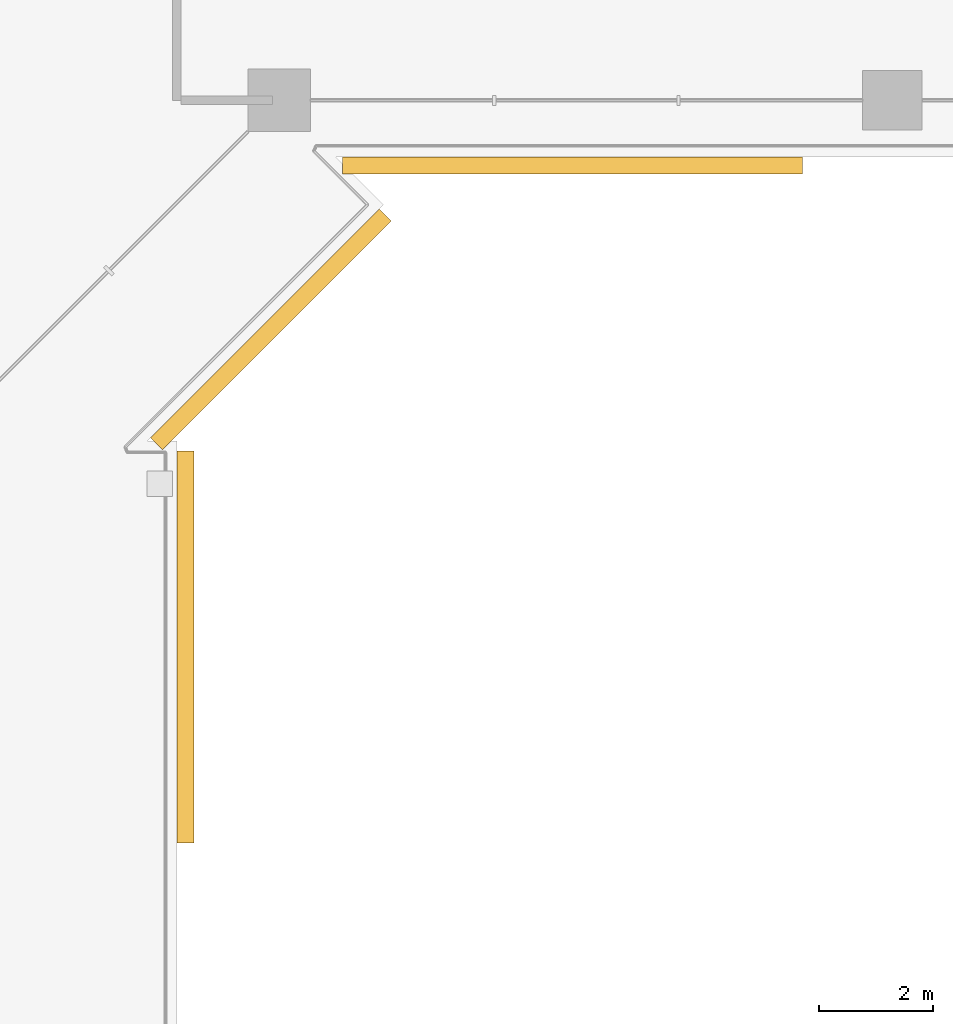
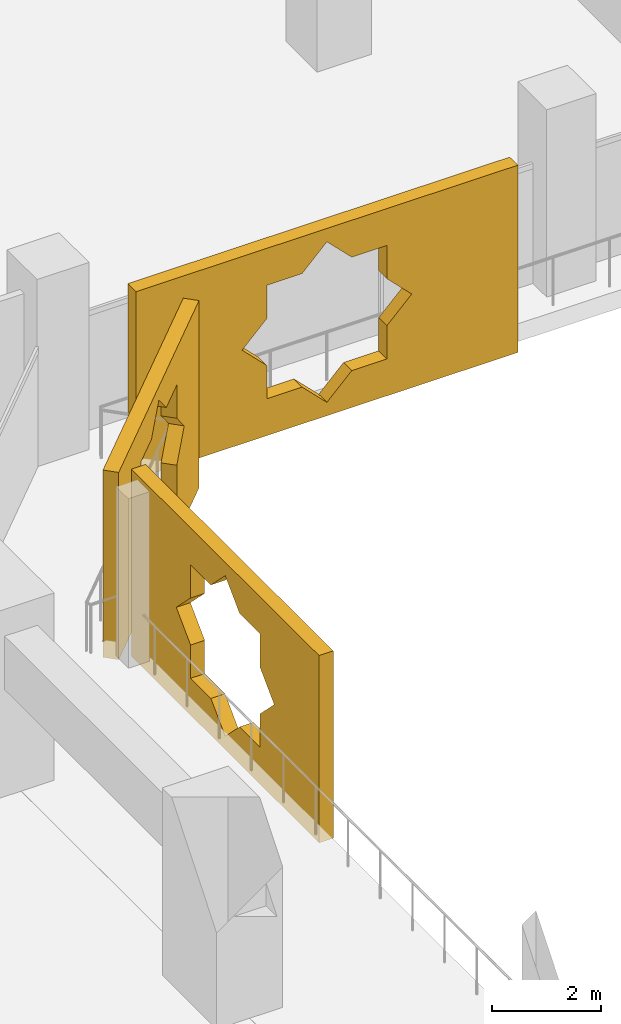
# One storey, part 21 of 25: 3 coverings.
"""IFC4 building model written with IfcOpenShell, lengths in metres."""

from ifc_helpers import new_model, si_unit, direction, frame, origin, place, context, subcontext, project, spatial, polyline, outline, extrude, material, material_profile, profile_set, type_object, element, save


model = new_model("IFC4")

# Units and contexts
model_context = context("Model", 3, precision=1e-05, world=origin(), true_north=direction((0.0, 1.0)))
body_context = subcontext(model_context, "Body", "Model", "MODEL_VIEW")
ifc_project = project(units=[si_unit("LENGTHUNIT", "METRE"), si_unit("AREAUNIT", "SQUARE_METRE"), si_unit("VOLUMEUNIT", "CUBIC_METRE"), si_unit("PLANEANGLEUNIT", "RADIAN"), si_unit("MASSUNIT", "GRAM", prefix="KILO")], contexts=[model_context])

# Site, building, storey
site_placement = place(None, origin())
site = spatial("IfcSite", under=ifc_project, at=site_placement, CompositionType="ELEMENT")
building_placement = place(site_placement, origin())
building = spatial("IfcBuilding", under=site, at=building_placement, Name="Kawkab Arch Medical Tower", CompositionType="ELEMENT")
storey_placement = place(building_placement, frame((0.0, 0.0, 98.800048828125)))
storey = spatial("IfcBuildingStorey", under=building, at=storey_placement, Name="L22", CompositionType="ELEMENT", Elevation=98.800048828125)

# Coverings
ifc_material_1 = material(Name="Bronze anodised aluminium mashrabiya panel, eight-point star pattern", Category="aluminium")
ifc_material_profile_1 = material_profile(ifc_material_1, outline(polyline([(-2.85009765625, -2.10009765625), (2.85009765625, -2.10009765625), (2.85009765625, 2.10009765625), (-2.85009765625, 2.10009765625), (-2.85009765625, -2.10009765625)]), holes=[polyline([(1.800048828125, 0.0), (1.272705078125, 0.527099609375), (1.272705078125, 1.272705078125), (0.527099609375, 1.272705078125), (0.0, 1.800048828125), (-0.527099609375, 1.272705078125), (-1.272705078125, 1.272705078125), (-1.272705078125, 0.527099609375), (-1.800048828125, 0.0), (-1.272705078125, -0.527099609375), (-1.272705078125, -1.272705078125), (-0.527099609375, -1.272705078125), (0.0, -1.800048828125), (0.527099609375, -1.272705078125), (1.272705078125, -1.272705078125), (1.272705078125, -0.527099609375), (1.800048828125, 0.0)])]), Name="Mashrabiya panel 5700x4200")
ifc_profile_set_1 = profile_set([ifc_material_profile_1], Name="Bronze anodised aluminium mashrabiya panel, eight-point star pattern")
covering_type_1 = type_object("IfcCoveringType", Name="Mashrabiya panel 5700 x 4200", PredefinedType="USERDEFINED", material=ifc_profile_set_1)
covering_1_placement = place(storey_placement, frame((30.94775390625, -29.128662109375, 1.699951171875), z_axis=(0.707106781187, -0.707106781187, 0.0), x_axis=(0.707106781187, 0.707106781187, 0.0)))
element("IfcCovering", 1, at=covering_1_placement, inside=storey, type_object=covering_type_1, Name="Mashrabiya panel L22.LOG-01-01.13", ObjectType="SCREEN", PredefinedType="USERDEFINED", context=body_context, shape_type="SweptSolid", body=[
    extrude(outline(polyline([(-2.85009765625, -2.10009765625), (2.85009765625, -2.10009765625), (2.85009765625, 2.10009765625), (-2.85009765625, 2.10009765625), (-2.85009765625, -2.10009765625)]), holes=[polyline([(1.800048828125, 0.0), (1.272705078125, 0.527099609375), (1.272705078125, 1.272705078125), (0.527099609375, 1.272705078125), (0.0, 1.800048828125), (-0.527099609375, 1.272705078125), (-1.272705078125, 1.272705078125), (-1.272705078125, 0.527099609375), (-1.800048828125, 0.0), (-1.272705078125, -0.527099609375), (-1.272705078125, -1.272705078125), (-0.527099609375, -1.272705078125), (0.0, -1.800048828125), (0.527099609375, -1.272705078125), (1.272705078125, -1.272705078125), (1.272705078125, -0.527099609375), (1.800048828125, 0.0)])]), origin(), (0.0, 0.0, 1.0), 0.300048828125),
])
ifc_material_2 = material(Name="Bronze anodised aluminium mashrabiya panel, eight-point star pattern", Category="aluminium")
ifc_material_profile_2 = material_profile(ifc_material_2, outline(polyline([(-3.449951171875, -2.10009765625), (3.449951171875, -2.10009765625), (3.449951171875, 2.10009765625), (-3.449951171875, 2.10009765625), (-3.449951171875, -2.10009765625)]), holes=[polyline([(1.800048828125, 0.0), (1.272705078125, 0.527099609375), (1.272705078125, 1.272705078125), (0.527099609375, 1.272705078125), (0.0, 1.800048828125), (-0.527099609375, 1.272705078125), (-1.272705078125, 1.272705078125), (-1.272705078125, 0.527099609375), (-1.800048828125, 0.0), (-1.272705078125, -0.527099609375), (-1.272705078125, -1.272705078125), (-0.527099609375, -1.272705078125), (0.0, -1.800048828125), (0.527099609375, -1.272705078125), (1.272705078125, -1.272705078125), (1.272705078125, -0.527099609375), (1.800048828125, 0.0)])]), Name="Mashrabiya panel 6900x4200")
ifc_profile_set_2 = profile_set([ifc_material_profile_2], Name="Bronze anodised aluminium mashrabiya panel, eight-point star pattern")
covering_type_2 = type_object("IfcCoveringType", Name="Mashrabiya panel 6900 x 4200", PredefinedType="USERDEFINED", material=ifc_profile_set_2)
covering_2_placement = place(storey_placement, frame((29.39990234375, -34.827392578125, 1.699951171875), z_axis=(1.0, 0.0, 0.0), x_axis=(0.0, 1.0, 0.0)))
element("IfcCovering", 2, at=covering_2_placement, inside=storey, type_object=covering_type_2, Name="Mashrabiya panel L22.LOG-01-01.14", ObjectType="SCREEN", PredefinedType="USERDEFINED", context=body_context, shape_type="SweptSolid", body=[
    extrude(outline(polyline([(-3.449951171875, -2.10009765625), (3.449951171875, -2.10009765625), (3.449951171875, 2.10009765625), (-3.449951171875, 2.10009765625), (-3.449951171875, -2.10009765625)]), holes=[polyline([(1.800048828125, 0.0), (1.272705078125, 0.527099609375), (1.272705078125, 1.272705078125), (0.527099609375, 1.272705078125), (0.0, 1.800048828125), (-0.527099609375, 1.272705078125), (-1.272705078125, 1.272705078125), (-1.272705078125, 0.527099609375), (-1.800048828125, 0.0), (-1.272705078125, -0.527099609375), (-1.272705078125, -1.272705078125), (-0.527099609375, -1.272705078125), (0.0, -1.800048828125), (0.527099609375, -1.272705078125), (1.272705078125, -1.272705078125), (1.272705078125, -0.527099609375), (1.800048828125, 0.0)])]), origin(), (0.0, 0.0, 1.0), 0.300048828125),
])
ifc_material_3 = material(Name="Bronze anodised aluminium mashrabiya panel, eight-point star pattern", Category="aluminium")
ifc_material_profile_3 = material_profile(ifc_material_3, outline(polyline([(-4.050048828125, -2.10009765625), (4.050048828125, -2.10009765625), (4.050048828125, 2.10009765625), (-4.050048828125, 2.10009765625), (-4.050048828125, -2.10009765625)]), holes=[polyline([(1.800048828125, 0.0), (1.272705078125, 0.527099609375), (1.272705078125, 1.272705078125), (0.527099609375, 1.272705078125), (0.0, 1.800048828125), (-0.527099609375, 1.272705078125), (-1.272705078125, 1.272705078125), (-1.272705078125, 0.527099609375), (-1.800048828125, 0.0), (-1.272705078125, -0.527099609375), (-1.272705078125, -1.272705078125), (-0.527099609375, -1.272705078125), (0.0, -1.800048828125), (0.527099609375, -1.272705078125), (1.272705078125, -1.272705078125), (1.272705078125, -0.527099609375), (1.800048828125, 0.0)])]), Name="Mashrabiya panel 8100x4200")
ifc_profile_set_3 = profile_set([ifc_material_profile_3], Name="Bronze anodised aluminium mashrabiya panel, eight-point star pattern")
covering_type_3 = type_object("IfcCoveringType", Name="Mashrabiya panel 8100 x 4200", PredefinedType="USERDEFINED", material=ifc_profile_set_3)
covering_3_placement = place(storey_placement, frame((36.364501953125, -26.199951171875, 1.699951171875), z_axis=(0.0, -1.0, 0.0), x_axis=(1.0, 0.0, 0.0)))
element("IfcCovering", 3, at=covering_3_placement, inside=storey, type_object=covering_type_3, Name="Mashrabiya panel L22.LOG-01-01.12", ObjectType="SCREEN", PredefinedType="USERDEFINED", context=body_context, shape_type="SweptSolid", body=[
    extrude(outline(polyline([(-4.050048828125, -2.10009765625), (4.050048828125, -2.10009765625), (4.050048828125, 2.10009765625), (-4.050048828125, 2.10009765625), (-4.050048828125, -2.10009765625)]), holes=[polyline([(1.800048828125, 0.0), (1.272705078125, 0.527099609375), (1.272705078125, 1.272705078125), (0.527099609375, 1.272705078125), (0.0, 1.800048828125), (-0.527099609375, 1.272705078125), (-1.272705078125, 1.272705078125), (-1.272705078125, 0.527099609375), (-1.800048828125, 0.0), (-1.272705078125, -0.527099609375), (-1.272705078125, -1.272705078125), (-0.527099609375, -1.272705078125), (0.0, -1.800048828125), (0.527099609375, -1.272705078125), (1.272705078125, -1.272705078125), (1.272705078125, -0.527099609375), (1.800048828125, 0.0)])]), origin(), (0.0, 0.0, 1.0), 0.300048828125),
])

save(model, "model.ifc")
